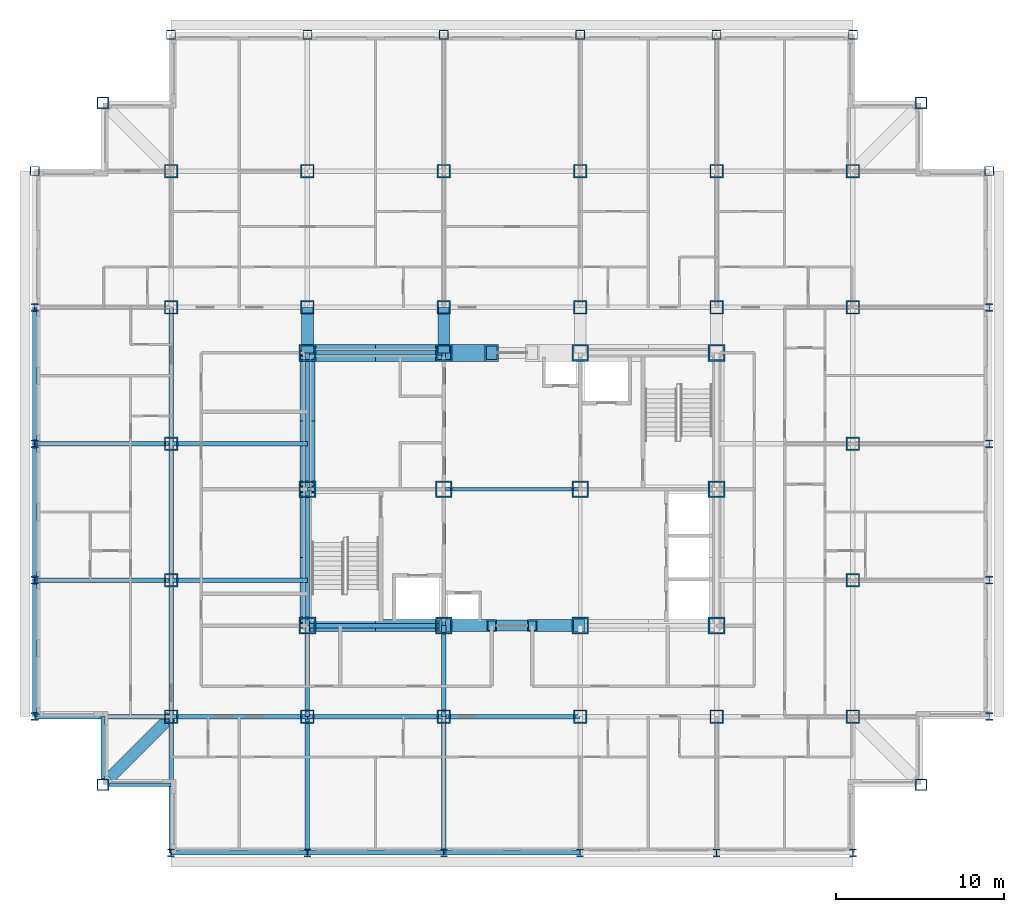
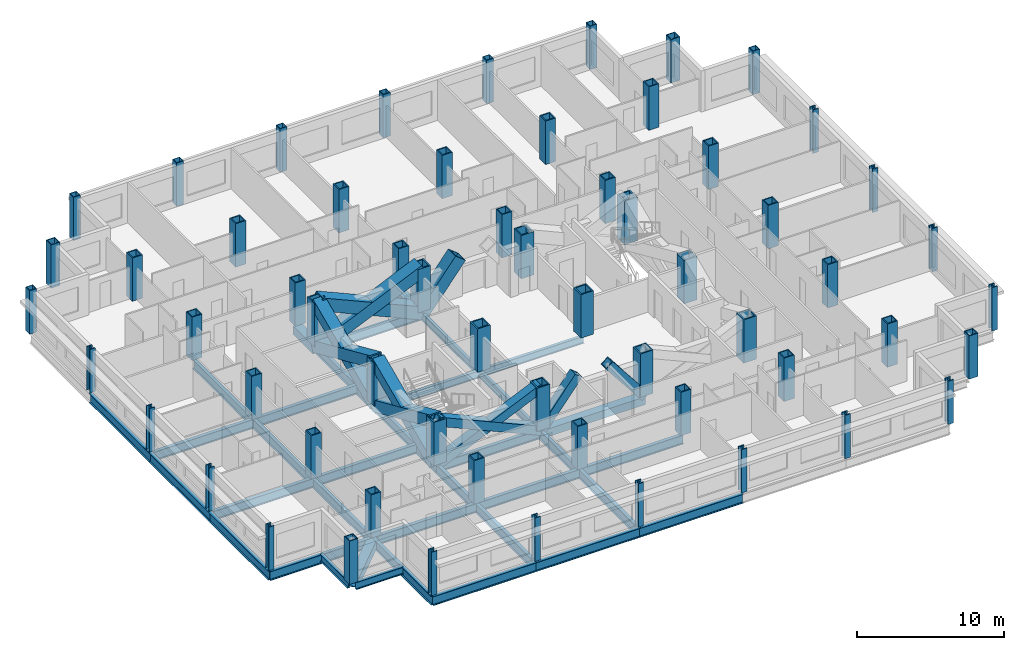
# One storey, part 1 of 12: 60 columns, 36 beams, 11 members.
"""IFC4 building model written with IfcOpenShell, lengths in metres."""

from ifc_helpers import new_model, si_unit, direction, frame, origin, origin_2d, place, context, subcontext, project, spatial, hollow_rectangle, i_section, extrude, material, material_profile, profile_set, type_object, element, save


model = new_model("IFC4")

# Units and contexts
model_context = context("Model", 3, precision=1e-05, world=origin(), true_north=direction((0.0, 1.0)))
body_context = subcontext(model_context, "Body", "Model", "MODEL_VIEW")
ifc_project = project(units=[si_unit("LENGTHUNIT", "METRE"), si_unit("AREAUNIT", "SQUARE_METRE"), si_unit("VOLUMEUNIT", "CUBIC_METRE"), si_unit("PLANEANGLEUNIT", "RADIAN"), si_unit("MASSUNIT", "GRAM", prefix="KILO")], contexts=[model_context])

# Site, building, storey
site_placement = place(None, origin())
site = spatial("IfcSite", under=ifc_project, at=site_placement, CompositionType="ELEMENT")
building_placement = place(site_placement, origin())
building = spatial("IfcBuilding", under=site, at=building_placement, Name="Kopane Lantern Tower", CompositionType="ELEMENT")
storey_placement = place(building_placement, frame((0.0, 0.0, 228.0)))
storey = spatial("IfcBuildingStorey", under=building, at=storey_placement, Name="L59", CompositionType="ELEMENT", Elevation=228.0)

# Columns
ifc_material_1 = material(Name="Steel S355JR", Category="steel")
ifc_material_profile_1 = material_profile(ifc_material_1, hollow_rectangle(XDim=1.0, YDim=1.0, WallThickness=0.10009765625, at=origin_2d()), Name="BOX 1000x1000x100")
ifc_profile_set_1 = profile_set([ifc_material_profile_1], Name="Steel S355JR")
column_type_1 = type_object("IfcColumnType", Name="COLUMN BOX 1000x1000x100", PredefinedType="COLUMN", material=ifc_profile_set_1)
for number, where, z_axis, x_axis, name in (
    (1, (16.199951171875, 24.300048828125, 0.0), (0.0, 0.0, 1.0), (1.0, 0.0, 0.0), "Column 4/E L59"),
    (2, (16.199951171875, 32.39990234375, 0.0), (0.0, 0.0, 1.0), (1.0, 0.0, 0.0), "Column 4/F L59"),
    (3, (16.199951171875, 40.5, 0.0), (0.0, 0.0, 1.0), (1.0, 0.0, 0.0), "Column 4/G L59"),
    (4, (24.300048828125, 24.300048828125, 0.0), (0.0, 0.0, 1.0), (1.0, 0.0, 0.0), "Column 5/E L59"),
    (5, (24.300048828125, 32.39990234375, 0.0), (0.0, 0.0, 1.0), (1.0, 0.0, 0.0), "Column 5/F L59"),
    (6, (24.300048828125, 40.5, 0.0), (0.0, 0.0, 1.0), (1.0, 0.0, 0.0), "Column 5/G L59"),
    (7, (32.39990234375, 24.300048828125, 0.0), (0.0, 0.0, 1.0), (1.0, 0.0, 0.0), "Column 6/E L59"),
    (8, (32.39990234375, 32.39990234375, 0.0), (0.0, 0.0, 1.0), (1.0, 0.0, 0.0), "Column 6/F L59"),
    (9, (32.39990234375, 40.5, 0.0), (0.0, 0.0, 1.0), (1.0, 0.0, 0.0), "Column 6/G L59"),
    (10, (40.5, 24.300048828125, 0.0), (0.0, 0.0, 1.0), (1.0, 0.0, 0.0), "Column 7/E L59"),
    (11, (40.5, 32.39990234375, 0.0), (0.0, 0.0, 1.0), (1.0, 0.0, 0.0), "Column 7/F L59"),
    (12, (40.5, 40.5, 0.0), (0.0, 0.0, 1.0), (1.0, 0.0, 0.0), "Column 7/G L59"),
):
    element("IfcColumn", number, at=place(storey_placement, frame(where, z_axis=z_axis, x_axis=x_axis)), inside=storey, type_object=column_type_1, Name=name, PredefinedType="COLUMN", context=body_context, shape_type="SweptSolid", body=[
        extrude(hollow_rectangle(XDim=1.0, YDim=1.0, WallThickness=0.10009765625, at=origin_2d()), origin(), (0.0, 0.0, 1.0), 3.60009765625),
    ])
ifc_material_2 = material(Name="Steel S355JR", Category="steel")
ifc_material_profile_2 = material_profile(ifc_material_2, hollow_rectangle(XDim=0.550048828125, YDim=0.550048828125, WallThickness=0.044921875, at=origin_2d()), Name="BOX 550x550x45")
ifc_profile_set_2 = profile_set([ifc_material_profile_2], Name="Steel S355JR")
column_type_2 = type_object("IfcColumnType", Name="COLUMN BOX 550x550x45", PredefinedType="COLUMN", material=ifc_profile_set_2)
for number, where, z_axis, x_axis, name in (
    (13, (0.0, 51.300048828125, 0.0), (0.0, 0.0, 1.0), (1.0, 0.0, 0.0), "Column 2/Q6 L59"),
    (14, (8.10009765625, 59.39990234375, 0.0), (0.0, 0.0, 1.0), (1.0, 0.0, 0.0), "Column 3/Q7 L59"),
    (15, (16.199951171875, 59.39990234375, 0.0), (0.0, 0.0, 1.0), (1.0, 0.0, 0.0), "Column 4/Q7 L59"),
    (16, (24.300048828125, 59.39990234375, 0.0), (0.0, 0.0, 1.0), (1.0, 0.0, 0.0), "Column 5/Q7 L59"),
    (17, (32.39990234375, 59.39990234375, 0.0), (0.0, 0.0, 1.0), (1.0, 0.0, 0.0), "Column 6/Q7 L59"),
    (18, (40.5, 59.39990234375, 0.0), (0.0, 0.0, 1.0), (1.0, 0.0, 0.0), "Column 7/Q7 L59"),
    (19, (48.60009765625, 59.39990234375, 0.0), (0.0, 0.0, 1.0), (1.0, 0.0, 0.0), "Column 8/Q7 L59"),
    (20, (56.699951171875, 51.300048828125, 0.0), (0.0, 0.0, 1.0), (1.0, 0.0, 0.0), "Column 9/Q6 L59"),
):
    element("IfcColumn", number, at=place(storey_placement, frame(where, z_axis=z_axis, x_axis=x_axis)), inside=storey, type_object=column_type_2, Name=name, PredefinedType="COLUMN", context=body_context, shape_type="SweptSolid", body=[
        extrude(hollow_rectangle(XDim=0.550048828125, YDim=0.550048828125, WallThickness=0.044921875, at=origin_2d()), origin(), (0.0, 0.0, 1.0), 3.60009765625),
    ])
ifc_material_3 = material(Name="Steel S355JR", Category="steel")
ifc_material_profile_3 = material_profile(ifc_material_3, hollow_rectangle(XDim=0.699951171875, YDim=0.699951171875, WallThickness=0.070068359375, at=origin_2d()), Name="BOX 700x700x70")
ifc_profile_set_3 = profile_set([ifc_material_profile_3], Name="Steel S355JR")
column_type_3 = type_object("IfcColumnType", Name="COLUMN BOX 700x700x70", PredefinedType="COLUMN", material=ifc_profile_set_3)
for number, where, z_axis, x_axis, name in (
    (21, (4.050048828125, 14.85009765625, 0.0), (0.0, 0.0, 1.0), (1.0, 0.0, 0.0), "Column 4.05/14.85 L59"),
    (22, (4.050048828125, 55.35009765625, 0.0), (0.0, 0.0, 1.0), (1.0, 0.0, 0.0), "Column 4.05/55.35 L59"),
    (23, (52.64990234375, 14.85009765625, 0.0), (0.0, 0.0, 1.0), (1.0, 0.0, 0.0), "Column 52.65/14.85 L59"),
    (24, (52.64990234375, 55.35009765625, 0.0), (0.0, 0.0, 1.0), (1.0, 0.0, 0.0), "Column 52.65/55.35 L59"),
):
    element("IfcColumn", number, at=place(storey_placement, frame(where, z_axis=z_axis, x_axis=x_axis)), inside=storey, type_object=column_type_3, Name=name, PredefinedType="COLUMN", context=body_context, shape_type="SweptSolid", body=[
        extrude(hollow_rectangle(XDim=0.699951171875, YDim=0.699951171875, WallThickness=0.070068359375, at=origin_2d()), origin(), (0.0, 0.0, 1.0), 3.60009765625),
    ])
ifc_material_4 = material(Name="Steel S355JR", Category="steel")
ifc_material_profile_4 = material_profile(ifc_material_4, hollow_rectangle(XDim=0.800048828125, YDim=0.800048828125, WallThickness=0.080078125, at=origin_2d()), Name="BOX 800x800x80")
ifc_profile_set_4 = profile_set([ifc_material_profile_4], Name="Steel S355JR")
column_type_4 = type_object("IfcColumnType", Name="COLUMN BOX 800x800x80", PredefinedType="COLUMN", material=ifc_profile_set_4)
for number, where, z_axis, x_axis, name in (
    (25, (8.10009765625, 18.89990234375, 0.0), (0.0, 0.0, 1.0), (1.0, 0.0, 0.0), "Column 3/Q2 L59"),
    (26, (8.10009765625, 27.0, 0.0), (0.0, 0.0, 1.0), (1.0, 0.0, 0.0), "Column 3/Q3 L59"),
    (27, (8.10009765625, 35.10009765625, 0.0), (0.0, 0.0, 1.0), (1.0, 0.0, 0.0), "Column 3/Q4 L59"),
    (28, (8.10009765625, 43.199951171875, 0.0), (0.0, 0.0, 1.0), (1.0, 0.0, 0.0), "Column 3/Q5 L59"),
    (29, (8.10009765625, 51.300048828125, 0.0), (0.0, 0.0, 1.0), (1.0, 0.0, 0.0), "Column 3/Q6 L59"),
    (30, (16.199951171875, 18.89990234375, 0.0), (0.0, 0.0, 1.0), (1.0, 0.0, 0.0), "Column 4/Q2 L59"),
    (31, (16.199951171875, 43.199951171875, 0.0), (0.0, 0.0, 1.0), (1.0, 0.0, 0.0), "Column 4/Q5 L59"),
    (32, (16.199951171875, 51.300048828125, 0.0), (0.0, 0.0, 1.0), (1.0, 0.0, 0.0), "Column 4/Q6 L59"),
    (33, (24.300048828125, 18.89990234375, 0.0), (0.0, 0.0, 1.0), (1.0, 0.0, 0.0), "Column 5/Q2 L59"),
    (34, (24.300048828125, 43.199951171875, 0.0), (0.0, 0.0, 1.0), (1.0, 0.0, 0.0), "Column 5/Q5 L59"),
    (35, (24.300048828125, 51.300048828125, 0.0), (0.0, 0.0, 1.0), (1.0, 0.0, 0.0), "Column 5/Q6 L59"),
    (36, (32.39990234375, 18.89990234375, 0.0), (0.0, 0.0, 1.0), (1.0, 0.0, 0.0), "Column 6/Q2 L59"),
    (37, (32.39990234375, 43.199951171875, 0.0), (0.0, 0.0, 1.0), (1.0, 0.0, 0.0), "Column 6/Q5 L59"),
    (38, (32.39990234375, 51.300048828125, 0.0), (0.0, 0.0, 1.0), (1.0, 0.0, 0.0), "Column 6/Q6 L59"),
    (39, (40.5, 18.89990234375, 0.0), (0.0, 0.0, 1.0), (1.0, 0.0, 0.0), "Column 7/Q2 L59"),
    (40, (40.5, 43.199951171875, 0.0), (0.0, 0.0, 1.0), (1.0, 0.0, 0.0), "Column 7/Q5 L59"),
    (41, (40.5, 51.300048828125, 0.0), (0.0, 0.0, 1.0), (1.0, 0.0, 0.0), "Column 7/Q6 L59"),
    (42, (48.60009765625, 18.89990234375, 0.0), (0.0, 0.0, 1.0), (1.0, 0.0, 0.0), "Column 8/Q2 L59"),
    (43, (48.60009765625, 27.0, 0.0), (0.0, 0.0, 1.0), (1.0, 0.0, 0.0), "Column 8/Q3 L59"),
    (44, (48.60009765625, 35.10009765625, 0.0), (0.0, 0.0, 1.0), (1.0, 0.0, 0.0), "Column 8/Q4 L59"),
    (45, (48.60009765625, 43.199951171875, 0.0), (0.0, 0.0, 1.0), (1.0, 0.0, 0.0), "Column 8/Q5 L59"),
    (46, (48.60009765625, 51.300048828125, 0.0), (0.0, 0.0, 1.0), (1.0, 0.0, 0.0), "Column 8/Q6 L59"),
):
    element("IfcColumn", number, at=place(storey_placement, frame(where, z_axis=z_axis, x_axis=x_axis)), inside=storey, type_object=column_type_4, Name=name, PredefinedType="COLUMN", context=body_context, shape_type="SweptSolid", body=[
        extrude(hollow_rectangle(XDim=0.800048828125, YDim=0.800048828125, WallThickness=0.080078125, at=origin_2d()), origin(), (0.0, 0.0, 1.0), 3.60009765625),
    ])
ifc_material_5 = material(Name="Steel S355JR", Category="steel")
ifc_material_profile_5 = material_profile(ifc_material_5, i_section(OverallWidth=0.424072265625, OverallDepth=0.474609375, WebThickness=0.047607421875, FlangeThickness=0.076904296875, FilletRadius=0.01513671875, at=origin_2d()), Name="UC 356x406x634")
ifc_profile_set_5 = profile_set([ifc_material_profile_5], Name="Steel S355JR")
column_type_5 = type_object("IfcColumnType", Name="COLUMN UC 356x406x634", PredefinedType="COLUMN", material=ifc_profile_set_5)
for number, where, z_axis, x_axis, name in (
    (47, (0.0, 18.89990234375, 0.0), (0.0, 0.0, 1.0), (1.0, 0.0, 0.0), "Column 2/Q2 L59"),
    (48, (0.0, 27.0, 0.0), (0.0, 0.0, 1.0), (1.0, 0.0, 0.0), "Column 2/Q3 L59"),
    (49, (0.0, 35.10009765625, 0.0), (0.0, 0.0, 1.0), (1.0, 0.0, 0.0), "Column 2/Q4 L59"),
    (50, (0.0, 43.199951171875, 0.0), (0.0, 0.0, 1.0), (1.0, 0.0, 0.0), "Column 2/Q5 L59"),
    (51, (8.10009765625, 10.800048828125, 0.0), (0.0, 0.0, 1.0), (1.0, 0.0, 0.0), "Column 3/Q1 L59"),
    (52, (16.199951171875, 10.800048828125, 0.0), (0.0, 0.0, 1.0), (1.0, 0.0, 0.0), "Column 4/Q1 L59"),
    (53, (24.300048828125, 10.800048828125, 0.0), (0.0, 0.0, 1.0), (1.0, 0.0, 0.0), "Column 5/Q1 L59"),
    (54, (32.39990234375, 10.800048828125, 0.0), (0.0, 0.0, 1.0), (1.0, 0.0, 0.0), "Column 6/Q1 L59"),
    (55, (40.5, 10.800048828125, 0.0), (0.0, 0.0, 1.0), (1.0, 0.0, 0.0), "Column 7/Q1 L59"),
    (56, (48.60009765625, 10.800048828125, 0.0), (0.0, 0.0, 1.0), (1.0, 0.0, 0.0), "Column 8/Q1 L59"),
    (57, (56.699951171875, 18.89990234375, 0.0), (0.0, 0.0, 1.0), (1.0, 0.0, 0.0), "Column 9/Q2 L59"),
    (58, (56.699951171875, 27.0, 0.0), (0.0, 0.0, 1.0), (1.0, 0.0, 0.0), "Column 9/Q3 L59"),
    (59, (56.699951171875, 35.10009765625, 0.0), (0.0, 0.0, 1.0), (1.0, 0.0, 0.0), "Column 9/Q4 L59"),
    (60, (56.699951171875, 43.199951171875, 0.0), (0.0, 0.0, 1.0), (1.0, 0.0, 0.0), "Column 9/Q5 L59"),
):
    element("IfcColumn", number, at=place(storey_placement, frame(where, z_axis=z_axis, x_axis=x_axis)), inside=storey, type_object=column_type_5, Name=name, PredefinedType="COLUMN", context=body_context, shape_type="SweptSolid", body=[
        extrude(i_section(OverallWidth=0.424072265625, OverallDepth=0.474609375, WebThickness=0.047607421875, FlangeThickness=0.076904296875, FilletRadius=0.01513671875, at=origin_2d()), origin(), (0.0, 0.0, 1.0), 3.60009765625),
    ])

# Members
ifc_material_6 = material(Name="Steel S355JR", Category="steel")
ifc_material_profile_6 = material_profile(ifc_material_6, hollow_rectangle(XDim=1.0, YDim=1.0, WallThickness=0.10009765625, at=origin_2d()), Name="BOX 1000x1000x100")
ifc_profile_set_6 = profile_set([ifc_material_profile_6], Name="Steel S355JR")
member_type_1 = type_object("IfcMemberType", Name="BRACE BOX 1000x1000x100", PredefinedType="BRACE", material=ifc_profile_set_6)
for number, where, z_axis, x_axis, name in (
    (61, (16.199951171875, 40.5, -0.2099609375), (0.913819498983, 0.0, 0.406120577265), (0.0, 1.0, 0.0), "Core brace L59"),
    (62, (24.300048828125, 40.5, -0.2099609375), (-0.913819498983, 0.0, 0.406120577265), (0.0, -1.0, 0.0), "Core brace L59"),
):
    element("IfcMember", number, at=place(storey_placement, frame(where, z_axis=z_axis, x_axis=x_axis)), inside=storey, type_object=member_type_1, Name=name, PredefinedType="BRACE", context=body_context, shape_type="SweptSolid", body=[
        extrude(hollow_rectangle(XDim=1.0, YDim=1.0, WallThickness=0.10009765625, at=origin_2d()), origin(), (0.0, 0.0, 1.0), 8.864013671875),
    ])
member_placement = place(storey_placement, frame((24.300048828125, 40.5, -0.2099609375), z_axis=(0.620698858423, 0.0, 0.784049059149), x_axis=(0.0, 1.0, 0.0)))
element("IfcMember", 63, at=member_placement, inside=storey, type_object=member_type_1, Name="Core brace L59", PredefinedType="BRACE", context=body_context, shape_type="SweptSolid", body=[
    extrude(hollow_rectangle(XDim=1.0, YDim=1.0, WallThickness=0.10009765625, at=origin_2d()), origin(), (0.0, 0.0, 1.0), 4.59130859375),
])
ifc_material_7 = material(Name="Steel S355JR", Category="steel")
ifc_material_profile_7 = material_profile(ifc_material_7, hollow_rectangle(XDim=0.699951171875, YDim=0.699951171875, WallThickness=0.06005859375, at=origin_2d()), Name="BOX 700x700x60")
ifc_profile_set_7 = profile_set([ifc_material_profile_7], Name="Steel S355JR")
member_type_2 = type_object("IfcMemberType", Name="BRACE BOX 700x700x60", PredefinedType="BRACE", material=ifc_profile_set_7)
for number, where, z_axis, x_axis, name in (
    (64, (16.199951171875, 24.300048828125, -0.2099609375), (0.913819498983, 0.0, 0.406120577265), (0.0, 1.0, 0.0), "Core brace L59"),
    (65, (24.300048828125, 24.300048828125, -0.2099609375), (-0.913819498983, 0.0, 0.406120577265), (0.0, -1.0, 0.0), "Core brace L59"),
):
    element("IfcMember", number, at=place(storey_placement, frame(where, z_axis=z_axis, x_axis=x_axis)), inside=storey, type_object=member_type_2, Name=name, PredefinedType="BRACE", context=body_context, shape_type="SweptSolid", body=[
        extrude(hollow_rectangle(XDim=0.699951171875, YDim=0.699951171875, WallThickness=0.06005859375, at=origin_2d()), origin(), (0.0, 0.0, 1.0), 8.864013671875),
    ])
for number, where, z_axis, x_axis, name in (
    (66, (24.300048828125, 24.300048828125, -0.2099609375), (0.620698858423, 0.0, 0.784049059149), (0.0, 1.0, 0.0), "Core brace L59"),
    (67, (32.39990234375, 24.300048828125, -0.2099609375), (-0.620698858423, 0.0, 0.784049059149), (0.0, -1.0, 0.0), "Core brace L59"),
):
    element("IfcMember", number, at=place(storey_placement, frame(where, z_axis=z_axis, x_axis=x_axis)), inside=storey, type_object=member_type_2, Name=name, PredefinedType="BRACE", context=body_context, shape_type="SweptSolid", body=[
        extrude(hollow_rectangle(XDim=0.699951171875, YDim=0.699951171875, WallThickness=0.06005859375, at=origin_2d()), origin(), (0.0, 0.0, 1.0), 4.59130859375),
    ])
ifc_material_8 = material(Name="Steel S355JR", Category="steel")
ifc_material_profile_8 = material_profile(ifc_material_8, hollow_rectangle(XDim=0.89990234375, YDim=0.89990234375, WallThickness=0.090087890625, at=origin_2d()), Name="BOX 900x900x90")
ifc_profile_set_8 = profile_set([ifc_material_profile_8], Name="Steel S355JR")
member_type_3 = type_object("IfcMemberType", Name="BRACE BOX 900x900x90", PredefinedType="BRACE", material=ifc_profile_set_8)
for number, where, z_axis, x_axis, name in (
    (68, (16.199951171875, 24.300048828125, -0.2099609375), (0.0, 0.913814956047, 0.406130799256), (-1.0, 0.0, 0.0), "Core brace L59"),
    (69, (16.199951171875, 32.39990234375, -0.2099609375), (0.0, -0.913814956047, 0.406130799256), (1.0, 0.0, 0.0), "Core brace L59"),
):
    element("IfcMember", number, at=place(storey_placement, frame(where, z_axis=z_axis, x_axis=x_axis)), inside=storey, type_object=member_type_3, Name=name, PredefinedType="BRACE", context=body_context, shape_type="SweptSolid", body=[
        extrude(hollow_rectangle(XDim=0.89990234375, YDim=0.89990234375, WallThickness=0.090087890625, at=origin_2d()), origin(), (0.0, 0.0, 1.0), 8.86376953125),
    ])
for number, where, z_axis, x_axis, name in (
    (70, (16.199951171875, 32.39990234375, -0.2099609375), (0.0, 0.913819498983, 0.406120577265), (-1.0, 0.0, 0.0), "Core brace L59"),
    (71, (16.199951171875, 40.5, -0.2099609375), (0.0, -0.913819498983, 0.406120577265), (1.0, 0.0, 0.0), "Core brace L59"),
):
    element("IfcMember", number, at=place(storey_placement, frame(where, z_axis=z_axis, x_axis=x_axis)), inside=storey, type_object=member_type_3, Name=name, PredefinedType="BRACE", context=body_context, shape_type="SweptSolid", body=[
        extrude(hollow_rectangle(XDim=0.89990234375, YDim=0.89990234375, WallThickness=0.090087890625, at=origin_2d()), origin(), (0.0, 0.0, 1.0), 8.864013671875),
    ])

# Beams
ifc_material_9 = material(Name="Steel S355JR", Category="steel")
ifc_material_profile_9 = material_profile(ifc_material_9, i_section(OverallWidth=0.22900390625, OverallDepth=0.6123046875, WebThickness=0.011962890625, FlangeThickness=0.01953125, FilletRadius=0.0126953125, at=origin_2d()), Name="UB 610x229x125")
ifc_profile_set_9 = profile_set([ifc_material_profile_9], Name="Steel S355JR")
beam_type_1 = type_object("IfcBeamType", Name="CORE BEAM UB 610x229x125", PredefinedType="BEAM", material=ifc_profile_set_9)
beam_1_placement = place(storey_placement, frame((16.199951171875, 32.39990234375, -0.51611328125), z_axis=(1.0, 0.0, 0.0), x_axis=(0.0, 1.0, 0.0)))
element("IfcBeam", 72, at=beam_1_placement, inside=storey, type_object=beam_type_1, Name="Core Beam L59", PredefinedType="BEAM", context=body_context, shape_type="SweptSolid", body=[
    extrude(i_section(OverallWidth=0.22900390625, OverallDepth=0.6123046875, WebThickness=0.011962890625, FlangeThickness=0.01953125, FilletRadius=0.0126953125, at=origin_2d()), origin(), (0.0, 0.0, 1.0), 8.10009765625),
])
beam_2_placement = place(storey_placement, frame((24.300048828125, 24.300048828125, -0.51611328125), z_axis=(0.0, 1.0, 0.0), x_axis=(-1.0, 0.0, 0.0)))
element("IfcBeam", 73, at=beam_2_placement, inside=storey, type_object=beam_type_1, Name="Core Beam L59", PredefinedType="BEAM", context=body_context, shape_type="SweptSolid", body=[
    extrude(i_section(OverallWidth=0.22900390625, OverallDepth=0.6123046875, WebThickness=0.011962890625, FlangeThickness=0.01953125, FilletRadius=0.0126953125, at=origin_2d()), origin(), (0.0, 0.0, 1.0), 8.099853515625),
])
beam_3_placement = place(storey_placement, frame((24.300048828125, 32.39990234375, -0.51611328125), z_axis=(0.0, 1.0, 0.0), x_axis=(-1.0, 0.0, 0.0)))
element("IfcBeam", 74, at=beam_3_placement, inside=storey, type_object=beam_type_1, Name="Core Beam L59", PredefinedType="BEAM", context=body_context, shape_type="SweptSolid", body=[
    extrude(i_section(OverallWidth=0.22900390625, OverallDepth=0.6123046875, WebThickness=0.011962890625, FlangeThickness=0.01953125, FilletRadius=0.0126953125, at=origin_2d()), origin(), (0.0, 0.0, 1.0), 8.10009765625),
])
beam_4_placement = place(storey_placement, frame((24.300048828125, 32.39990234375, -0.51611328125), z_axis=(1.0, 0.0, 0.0), x_axis=(0.0, 1.0, 0.0)))
element("IfcBeam", 75, at=beam_4_placement, inside=storey, type_object=beam_type_1, Name="Core Beam L59", PredefinedType="BEAM", context=body_context, shape_type="SweptSolid", body=[
    extrude(i_section(OverallWidth=0.22900390625, OverallDepth=0.6123046875, WebThickness=0.011962890625, FlangeThickness=0.01953125, FilletRadius=0.0126953125, at=origin_2d()), origin(), (0.0, 0.0, 1.0), 8.099853515625),
])
ifc_material_10 = material(Name="Steel S355JR", Category="steel")
ifc_material_profile_10 = material_profile(ifc_material_10, hollow_rectangle(XDim=0.699951171875, YDim=0.699951171875, WallThickness=0.06005859375, at=origin_2d()), Name="BOX 700x700x60")
ifc_profile_set_10 = profile_set([ifc_material_profile_10], Name="Steel S355JR")
beam_type_2 = type_object("IfcBeamType", Name="CORNER TIE BEAM BOX 700x700x60", PredefinedType="BEAM", material=ifc_profile_set_10)
beam_5_placement = place(storey_placement, frame((4.447509765625, 15.24755859375, -0.56005859375), z_axis=(0.70713041325, 0.707083148333, 0.0), x_axis=(-0.707083148333, 0.70713041325, 0.0)))
element("IfcBeam", 76, at=beam_5_placement, inside=storey, type_object=beam_type_2, Name="Corner Tie Beam L59", PredefinedType="BEAM", context=body_context, shape_type="SweptSolid", body=[
    extrude(hollow_rectangle(XDim=0.699951171875, YDim=0.699951171875, WallThickness=0.06005859375, at=origin_2d()), origin(), (0.0, 0.0, 1.0), 5.165283203125),
])
ifc_material_11 = material(Name="Steel S355JR", Category="steel")
ifc_material_profile_11 = material_profile(ifc_material_11, i_section(OverallWidth=0.22900390625, OverallDepth=0.6123046875, WebThickness=0.011962890625, FlangeThickness=0.01953125, FilletRadius=0.0126953125, at=origin_2d()), Name="UB 610x229x125")
ifc_profile_set_11 = profile_set([ifc_material_profile_11], Name="Steel S355JR")
beam_type_3 = type_object("IfcBeamType", Name="EDGE BEAM UB 610x229x125", PredefinedType="BEAM", material=ifc_profile_set_11)
beam_6_placement = place(storey_placement, frame((4.050048828125, 15.199951171875, -0.51611328125), z_axis=(0.0, 1.0, 0.0), x_axis=(-1.0, 0.0, 0.0)))
element("IfcBeam", 77, at=beam_6_placement, inside=storey, type_object=beam_type_3, Name="Edge Beam L59", PredefinedType="BEAM", context=body_context, shape_type="SweptSolid", body=[
    extrude(i_section(OverallWidth=0.22900390625, OverallDepth=0.6123046875, WebThickness=0.011962890625, FlangeThickness=0.01953125, FilletRadius=0.0126953125, at=origin_2d()), origin(), (0.0, 0.0, 1.0), 3.699951171875),
])
beam_7_placement = place(storey_placement, frame((4.39990234375, 14.85009765625, -0.51611328125), z_axis=(1.0, 0.0, 0.0), x_axis=(0.0, 1.0, 0.0)))
element("IfcBeam", 78, at=beam_7_placement, inside=storey, type_object=beam_type_3, Name="Edge Beam L59", PredefinedType="BEAM", context=body_context, shape_type="SweptSolid", body=[
    extrude(i_section(OverallWidth=0.22900390625, OverallDepth=0.6123046875, WebThickness=0.011962890625, FlangeThickness=0.01953125, FilletRadius=0.0126953125, at=origin_2d()), origin(), (0.0, 0.0, 1.0), 3.7001953125),
])
ifc_material_12 = material(Name="Steel S355JR", Category="steel")
ifc_material_profile_12 = material_profile(ifc_material_12, hollow_rectangle(XDim=0.699951171875, YDim=0.699951171875, WallThickness=0.06005859375, at=origin_2d()), Name="BOX 700x700x60")
ifc_profile_set_12 = profile_set([ifc_material_profile_12], Name="Steel S355JR")
beam_type_4 = type_object("IfcBeamType", Name="GIRDER BOX 700x700x60", PredefinedType="BEAM", material=ifc_profile_set_12)
for number, where, z_axis, x_axis, name in (
    (79, (16.199951171875, 40.5, -0.56005859375), (0.0, 1.0, 0.0), (-1.0, 0.0, 0.0), "Girder L59"),
    (80, (24.300048828125, 40.5, -0.56005859375), (0.0, 1.0, 0.0), (-1.0, 0.0, 0.0), "Girder L59"),
):
    element("IfcBeam", number, at=place(storey_placement, frame(where, z_axis=z_axis, x_axis=x_axis)), inside=storey, type_object=beam_type_4, Name=name, PredefinedType="BEAM", context=body_context, shape_type="SweptSolid", body=[
        extrude(hollow_rectangle(XDim=0.699951171875, YDim=0.699951171875, WallThickness=0.06005859375, at=origin_2d()), origin(), (0.0, 0.0, 1.0), 2.699951171875),
    ])
ifc_material_13 = material(Name="Steel S355JR", Category="steel")
ifc_material_profile_13 = material_profile(ifc_material_13, i_section(OverallWidth=0.2666015625, OverallDepth=0.76220703125, WebThickness=0.014404296875, FlangeThickness=0.021484375, FilletRadius=0.0166015625, at=origin_2d()), Name="UB 762x267x173")
ifc_profile_set_13 = profile_set([ifc_material_profile_13], Name="Steel S355JR")
beam_type_5 = type_object("IfcBeamType", Name="GIRDER UB 762x267x173", PredefinedType="BEAM", material=ifc_profile_set_13)
for number, where, z_axis, x_axis, name in (
    (81, (0.0, 18.89990234375, -0.591064453125), (0.0, 1.0, 0.0), (-1.0, 0.0, 0.0), "Girder L59"),
    (82, (0.0, 18.89990234375, -0.591064453125), (1.0, 0.0, 0.0), (0.0, 1.0, 0.0), "Girder L59"),
    (83, (0.0, 27.0, -0.591064453125), (0.0, 1.0, 0.0), (-1.0, 0.0, 0.0), "Girder L59"),
    (84, (0.0, 27.0, -0.591064453125), (1.0, 0.0, 0.0), (0.0, 1.0, 0.0), "Girder L59"),
):
    element("IfcBeam", number, at=place(storey_placement, frame(where, z_axis=z_axis, x_axis=x_axis)), inside=storey, type_object=beam_type_5, Name=name, PredefinedType="BEAM", context=body_context, shape_type="SweptSolid", body=[
        extrude(i_section(OverallWidth=0.2666015625, OverallDepth=0.76220703125, WebThickness=0.014404296875, FlangeThickness=0.021484375, FilletRadius=0.0166015625, at=origin_2d()), origin(), (0.0, 0.0, 1.0), 8.10009765625),
    ])
beam_8_placement = place(storey_placement, frame((0.0, 35.10009765625, -0.591064453125), z_axis=(0.0, 1.0, 0.0), x_axis=(-1.0, 0.0, 0.0)))
element("IfcBeam", 85, at=beam_8_placement, inside=storey, type_object=beam_type_5, Name="Girder L59", PredefinedType="BEAM", context=body_context, shape_type="SweptSolid", body=[
    extrude(i_section(OverallWidth=0.2666015625, OverallDepth=0.76220703125, WebThickness=0.014404296875, FlangeThickness=0.021484375, FilletRadius=0.0166015625, at=origin_2d()), origin(), (0.0, 0.0, 1.0), 8.099853515625),
])
beam_9_placement = place(storey_placement, frame((0.0, 35.10009765625, -0.591064453125), z_axis=(1.0, 0.0, 0.0), x_axis=(0.0, 1.0, 0.0)))
element("IfcBeam", 86, at=beam_9_placement, inside=storey, type_object=beam_type_5, Name="Girder L59", PredefinedType="BEAM", context=body_context, shape_type="SweptSolid", body=[
    extrude(i_section(OverallWidth=0.2666015625, OverallDepth=0.76220703125, WebThickness=0.014404296875, FlangeThickness=0.021484375, FilletRadius=0.0166015625, at=origin_2d()), origin(), (0.0, 0.0, 1.0), 8.10009765625),
])
for number, where, z_axis, x_axis, name in (
    (87, (8.10009765625, 10.800048828125, -0.591064453125), (0.0, 1.0, 0.0), (-1.0, 0.0, 0.0), "Girder L59"),
    (88, (8.10009765625, 10.800048828125, -0.591064453125), (1.0, 0.0, 0.0), (0.0, 1.0, 0.0), "Girder L59"),
):
    element("IfcBeam", number, at=place(storey_placement, frame(where, z_axis=z_axis, x_axis=x_axis)), inside=storey, type_object=beam_type_5, Name=name, PredefinedType="BEAM", context=body_context, shape_type="SweptSolid", body=[
        extrude(i_section(OverallWidth=0.2666015625, OverallDepth=0.76220703125, WebThickness=0.014404296875, FlangeThickness=0.021484375, FilletRadius=0.0166015625, at=origin_2d()), origin(), (0.0, 0.0, 1.0), 8.099853515625),
    ])
beam_10_placement = place(storey_placement, frame((8.10009765625, 18.89990234375, -0.591064453125), z_axis=(0.0, 1.0, 0.0), x_axis=(-1.0, 0.0, 0.0)))
element("IfcBeam", 89, at=beam_10_placement, inside=storey, type_object=beam_type_5, Name="Girder L59", PredefinedType="BEAM", context=body_context, shape_type="SweptSolid", body=[
    extrude(i_section(OverallWidth=0.2666015625, OverallDepth=0.76220703125, WebThickness=0.014404296875, FlangeThickness=0.021484375, FilletRadius=0.0166015625, at=origin_2d()), origin(), (0.0, 0.0, 1.0), 8.10009765625),
])
beam_11_placement = place(storey_placement, frame((8.10009765625, 18.89990234375, -0.591064453125), z_axis=(1.0, 0.0, 0.0), x_axis=(0.0, 1.0, 0.0)))
element("IfcBeam", 90, at=beam_11_placement, inside=storey, type_object=beam_type_5, Name="Girder L59", PredefinedType="BEAM", context=body_context, shape_type="SweptSolid", body=[
    extrude(i_section(OverallWidth=0.2666015625, OverallDepth=0.76220703125, WebThickness=0.014404296875, FlangeThickness=0.021484375, FilletRadius=0.0166015625, at=origin_2d()), origin(), (0.0, 0.0, 1.0), 8.099853515625),
])
beam_12_placement = place(storey_placement, frame((8.10009765625, 27.0, -0.591064453125), z_axis=(0.0, 1.0, 0.0), x_axis=(-1.0, 0.0, 0.0)))
element("IfcBeam", 91, at=beam_12_placement, inside=storey, type_object=beam_type_5, Name="Girder L59", PredefinedType="BEAM", context=body_context, shape_type="SweptSolid", body=[
    extrude(i_section(OverallWidth=0.2666015625, OverallDepth=0.76220703125, WebThickness=0.014404296875, FlangeThickness=0.021484375, FilletRadius=0.0166015625, at=origin_2d()), origin(), (0.0, 0.0, 1.0), 8.10009765625),
])
for number, where, z_axis, x_axis, name in (
    (92, (8.10009765625, 27.0, -0.591064453125), (1.0, 0.0, 0.0), (0.0, 1.0, 0.0), "Girder L59"),
    (93, (8.10009765625, 35.10009765625, -0.591064453125), (0.0, 1.0, 0.0), (-1.0, 0.0, 0.0), "Girder L59"),
    (94, (8.10009765625, 35.10009765625, -0.591064453125), (1.0, 0.0, 0.0), (0.0, 1.0, 0.0), "Girder L59"),
    (95, (16.199951171875, 10.800048828125, -0.591064453125), (0.0, 1.0, 0.0), (-1.0, 0.0, 0.0), "Girder L59"),
):
    element("IfcBeam", number, at=place(storey_placement, frame(where, z_axis=z_axis, x_axis=x_axis)), inside=storey, type_object=beam_type_5, Name=name, PredefinedType="BEAM", context=body_context, shape_type="SweptSolid", body=[
        extrude(i_section(OverallWidth=0.2666015625, OverallDepth=0.76220703125, WebThickness=0.014404296875, FlangeThickness=0.021484375, FilletRadius=0.0166015625, at=origin_2d()), origin(), (0.0, 0.0, 1.0), 8.099853515625),
    ])
beam_13_placement = place(storey_placement, frame((16.199951171875, 10.800048828125, -0.591064453125), z_axis=(1.0, 0.0, 0.0), x_axis=(0.0, 1.0, 0.0)))
element("IfcBeam", 96, at=beam_13_placement, inside=storey, type_object=beam_type_5, Name="Girder L59", PredefinedType="BEAM", context=body_context, shape_type="SweptSolid", body=[
    extrude(i_section(OverallWidth=0.2666015625, OverallDepth=0.76220703125, WebThickness=0.014404296875, FlangeThickness=0.021484375, FilletRadius=0.0166015625, at=origin_2d()), origin(), (0.0, 0.0, 1.0), 8.10009765625),
])
beam_14_placement = place(storey_placement, frame((16.199951171875, 18.89990234375, -0.591064453125), z_axis=(0.0, 1.0, 0.0), x_axis=(-1.0, 0.0, 0.0)))
element("IfcBeam", 97, at=beam_14_placement, inside=storey, type_object=beam_type_5, Name="Girder L59", PredefinedType="BEAM", context=body_context, shape_type="SweptSolid", body=[
    extrude(i_section(OverallWidth=0.2666015625, OverallDepth=0.76220703125, WebThickness=0.014404296875, FlangeThickness=0.021484375, FilletRadius=0.0166015625, at=origin_2d()), origin(), (0.0, 0.0, 1.0), 5.400146484375),
])
beam_15_placement = place(storey_placement, frame((16.199951171875, 18.89990234375, -0.591064453125), z_axis=(1.0, 0.0, 0.0), x_axis=(0.0, 1.0, 0.0)))
element("IfcBeam", 98, at=beam_15_placement, inside=storey, type_object=beam_type_5, Name="Girder L59", PredefinedType="BEAM", context=body_context, shape_type="SweptSolid", body=[
    extrude(i_section(OverallWidth=0.2666015625, OverallDepth=0.76220703125, WebThickness=0.014404296875, FlangeThickness=0.021484375, FilletRadius=0.0166015625, at=origin_2d()), origin(), (0.0, 0.0, 1.0), 8.10009765625),
])
beam_16_placement = place(storey_placement, frame((16.199951171875, 24.300048828125, -0.591064453125), z_axis=(0.0, 1.0, 0.0), x_axis=(-1.0, 0.0, 0.0)))
element("IfcBeam", 99, at=beam_16_placement, inside=storey, type_object=beam_type_5, Name="Girder L59", PredefinedType="BEAM", context=body_context, shape_type="SweptSolid", body=[
    extrude(i_section(OverallWidth=0.2666015625, OverallDepth=0.76220703125, WebThickness=0.014404296875, FlangeThickness=0.021484375, FilletRadius=0.0166015625, at=origin_2d()), origin(), (0.0, 0.0, 1.0), 8.099853515625),
])
for number, where, z_axis, x_axis, name in (
    (100, (16.199951171875, 24.300048828125, -0.591064453125), (1.0, 0.0, 0.0), (0.0, 1.0, 0.0), "Girder L59"),
    (101, (16.199951171875, 32.39990234375, -0.591064453125), (0.0, 1.0, 0.0), (-1.0, 0.0, 0.0), "Girder L59"),
    (102, (16.199951171875, 40.5, -0.591064453125), (1.0, 0.0, 0.0), (0.0, 1.0, 0.0), "Girder L59"),
):
    element("IfcBeam", number, at=place(storey_placement, frame(where, z_axis=z_axis, x_axis=x_axis)), inside=storey, type_object=beam_type_5, Name=name, PredefinedType="BEAM", context=body_context, shape_type="SweptSolid", body=[
        extrude(i_section(OverallWidth=0.2666015625, OverallDepth=0.76220703125, WebThickness=0.014404296875, FlangeThickness=0.021484375, FilletRadius=0.0166015625, at=origin_2d()), origin(), (0.0, 0.0, 1.0), 8.10009765625),
    ])
for number, where, z_axis, x_axis, name in (
    (103, (24.300048828125, 10.800048828125, -0.591064453125), (0.0, 1.0, 0.0), (-1.0, 0.0, 0.0), "Girder L59"),
    (104, (24.300048828125, 10.800048828125, -0.591064453125), (1.0, 0.0, 0.0), (0.0, 1.0, 0.0), "Girder L59"),
):
    element("IfcBeam", number, at=place(storey_placement, frame(where, z_axis=z_axis, x_axis=x_axis)), inside=storey, type_object=beam_type_5, Name=name, PredefinedType="BEAM", context=body_context, shape_type="SweptSolid", body=[
        extrude(i_section(OverallWidth=0.2666015625, OverallDepth=0.76220703125, WebThickness=0.014404296875, FlangeThickness=0.021484375, FilletRadius=0.0166015625, at=origin_2d()), origin(), (0.0, 0.0, 1.0), 8.099853515625),
    ])
beam_17_placement = place(storey_placement, frame((24.300048828125, 18.89990234375, -0.591064453125), z_axis=(0.0, 1.0, 0.0), x_axis=(-1.0, 0.0, 0.0)))
element("IfcBeam", 105, at=beam_17_placement, inside=storey, type_object=beam_type_5, Name="Girder L59", PredefinedType="BEAM", context=body_context, shape_type="SweptSolid", body=[
    extrude(i_section(OverallWidth=0.2666015625, OverallDepth=0.76220703125, WebThickness=0.014404296875, FlangeThickness=0.021484375, FilletRadius=0.0166015625, at=origin_2d()), origin(), (0.0, 0.0, 1.0), 5.400146484375),
])
beam_18_placement = place(storey_placement, frame((24.300048828125, 18.89990234375, -0.591064453125), z_axis=(1.0, 0.0, 0.0), x_axis=(0.0, 1.0, 0.0)))
element("IfcBeam", 106, at=beam_18_placement, inside=storey, type_object=beam_type_5, Name="Girder L59", PredefinedType="BEAM", context=body_context, shape_type="SweptSolid", body=[
    extrude(i_section(OverallWidth=0.2666015625, OverallDepth=0.76220703125, WebThickness=0.014404296875, FlangeThickness=0.021484375, FilletRadius=0.0166015625, at=origin_2d()), origin(), (0.0, 0.0, 1.0), 8.099853515625),
])
ifc_material_14 = material(Name="Steel S355JR", Category="steel")
ifc_material_profile_14 = material_profile(ifc_material_14, hollow_rectangle(XDim=0.64990234375, YDim=0.64990234375, WallThickness=0.070068359375, at=origin_2d()), Name="BOX 650x650x70")
ifc_profile_set_14 = profile_set([ifc_material_profile_14], Name="Steel S355JR")
beam_type_6 = type_object("IfcBeamType", Name="LINK BEAM BOX 650x650x70", PredefinedType="BEAM", material=ifc_profile_set_14)
beam_19_placement = place(storey_placement, frame((24.300048828125, 24.300048828125, -0.534912109375), z_axis=(1.0, 0.0, 0.0), x_axis=(0.0, 1.0, 0.0)))
element("IfcBeam", 107, at=beam_19_placement, inside=storey, type_object=beam_type_6, Name="Link Beam L59", PredefinedType="BEAM", context=body_context, shape_type="SweptSolid", body=[
    extrude(hollow_rectangle(XDim=0.64990234375, YDim=0.64990234375, WallThickness=0.070068359375, at=origin_2d()), origin(), (0.0, 0.0, 1.0), 8.099853515625),
])

save(model, "model.ifc")
